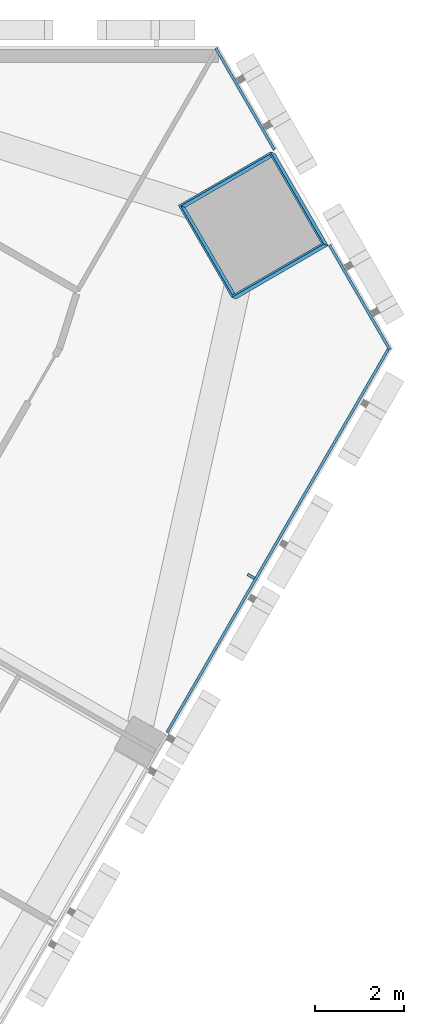
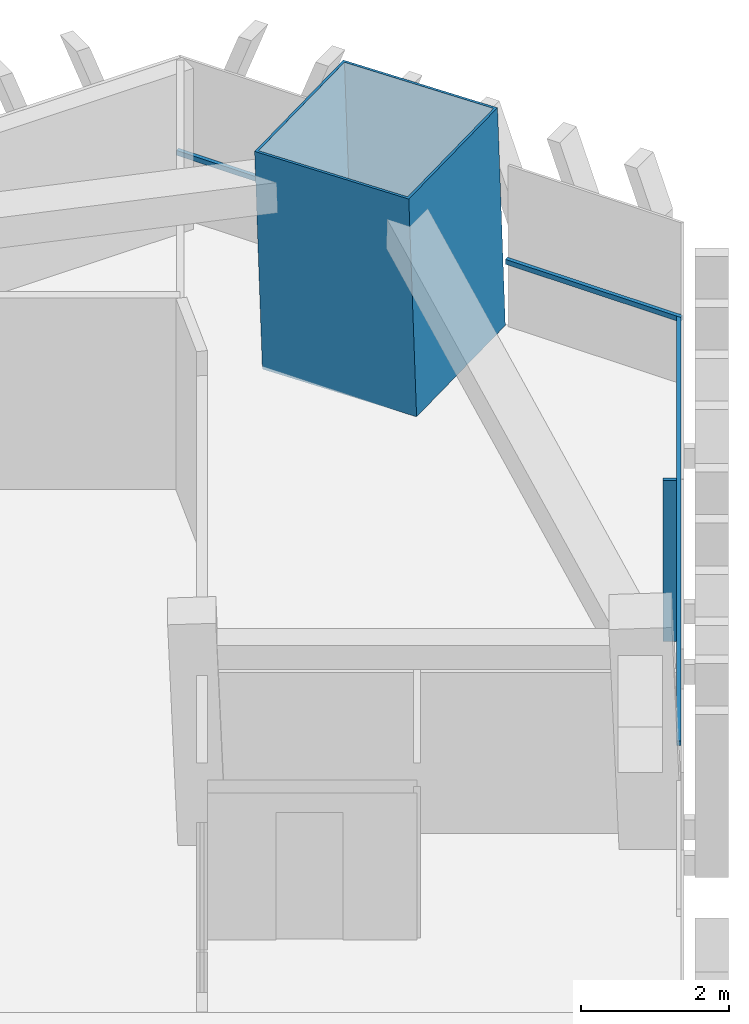
# One storey, part 7 of 16: 5 members, 2 elements without a shape of their own.
"""IFC4 building model written with IfcOpenShell, lengths in metres."""

from ifc_helpers import new_model, si_unit, direction, frame, origin, origin_2d, place, context, subcontext, project, spatial, rectangle, hollow_rectangle, extrude, material, layer, layer_set, material_profile, profile_set, type_object, element, aggregate, save


model = new_model("IFC4")

# Units and contexts
model_context = context("Model", 3, precision=1e-05, world=origin(), true_north=direction((0.0, 1.0)))
body_context = subcontext(model_context, "Body", "Model", "MODEL_VIEW")
ifc_project = project(units=[si_unit("LENGTHUNIT", "METRE"), si_unit("AREAUNIT", "SQUARE_METRE"), si_unit("VOLUMEUNIT", "CUBIC_METRE"), si_unit("PLANEANGLEUNIT", "RADIAN"), si_unit("MASSUNIT", "GRAM", prefix="KILO")], contexts=[model_context])

# Site, building, storey
site_placement = place(None, origin())
site = spatial("IfcSite", under=ifc_project, at=site_placement, CompositionType="ELEMENT")
building_placement = place(site_placement, origin())
building = spatial("IfcBuilding", under=site, at=building_placement, Name="Altiplano Prism Tower", CompositionType="ELEMENT")
storey_placement = place(building_placement, frame((0.0, 0.0, 127.800048828125)))
storey = spatial("IfcBuildingStorey", under=building, at=storey_placement, Name="L32", CompositionType="ELEMENT", Elevation=127.800048828125)

# Curtain wall, members
ifc_material_1 = material(Name="Aluminium and glass", Category="aluminium")
ifc_layer = layer(ifc_material_1, 0.280029296875)
ifc_layer_set = layer_set([ifc_layer], Name="Aluminium and glass")
curtain_wall_type = type_object("IfcCurtainWallType", Name="CW1 typical co-living unitised curtain wall", PredefinedType="NOTDEFINED", material=ifc_layer_set)
curtain_wall_1_placement = place(storey_placement, origin())
curtain_wall_1 = element("IfcCurtainWall", 1, at=curtain_wall_1_placement, inside=storey, type_object=curtain_wall_type, Name="CW1 curtain wall south-east face L32", PredefinedType="NOTDEFINED")
ifc_material_2 = material(Name="Aluminium", Category="aluminium")
ifc_material_profile_1 = material_profile(ifc_material_2, rectangle(XDim=0.179931640625, YDim=0.06494140625, at=origin_2d()), Name="CW1 mullion 65 x 180")
ifc_profile_set_1 = profile_set([ifc_material_profile_1], Name="Aluminium")
member_type_1 = type_object("IfcMemberType", Name="CW1 mullion 65 x 180", PredefinedType="MULLION", material=ifc_profile_set_1)
member_1_placement = place(storey_placement, frame((109.7822265625, 93.062744140625, 0.0), z_axis=(0.0, 0.0, 1.0), x_axis=(-0.866025403531, 0.500000000438, 0.0)))
member_1 = element("IfcMember", 2, at=member_1_placement, type_object=member_type_1, Name="CW1 mullion", PredefinedType="MULLION", context=body_context, shape_type="SweptSolid", body=[
    extrude(rectangle(XDim=0.179931640625, YDim=0.06494140625, at=origin_2d()), origin(), (0.0, 0.0, 1.0), 2.64990234375),
])
ifc_material_profile_2 = material_profile(ifc_material_2, rectangle(XDim=0.06005859375, YDim=0.080078125, at=origin_2d()), Name="CW1 transom 80 x 60")
ifc_profile_set_2 = profile_set([ifc_material_profile_2], Name="Aluminium")
member_type_2 = type_object("IfcMemberType", Name="CW1 transom 80 x 60", PredefinedType="USERDEFINED", material=ifc_profile_set_2)
member_2_placement = place(storey_placement, frame((107.888427734375, 89.54248046875, 1.099853515625), z_axis=(0.500000180633, 0.866025299496, 0.0), x_axis=(-0.866025299496, 0.500000180633, 0.0)))
member_2 = element("IfcMember", 3, at=member_2_placement, type_object=member_type_2, Name="CW1 transom", ObjectType="TRANSOM", PredefinedType="USERDEFINED", context=body_context, shape_type="SweptSolid", body=[
    extrude(rectangle(XDim=0.06005859375, YDim=0.080078125, at=origin_2d()), origin(), (0.0, 0.0, 1.0), 10.04443359375),
])
aggregate(curtain_wall_1, [member_1, member_2])

curtain_wall_2_placement = place(storey_placement, origin())
curtain_wall_2 = element("IfcCurtainWall", 4, at=curtain_wall_2_placement, inside=storey, type_object=curtain_wall_type, Name="CW1 curtain wall north-east chamfer L32", PredefinedType="NOTDEFINED")
member_3_placement = place(storey_placement, frame((112.91064453125, 98.171142578125, 1.099853515625), z_axis=(-0.500035541724, 0.866004882788, 0.0), x_axis=(-0.866004882788, -0.500035541724, 0.0)))
member_3 = element("IfcMember", 5, at=member_3_placement, type_object=member_type_2, Name="CW1 transom", ObjectType="TRANSOM", PredefinedType="USERDEFINED", context=body_context, shape_type="SweptSolid", body=[
    extrude(rectangle(XDim=0.06005859375, YDim=0.080078125, at=origin_2d()), origin(), (0.0, 0.0, 1.0), 2.722412109375),
])
member_4_placement = place(storey_placement, frame((110.309326171875, 102.676513671875, 1.099853515625), z_axis=(-0.499925063183, 0.866068664253, 0.0), x_axis=(-0.866068664253, -0.499925063183, 0.0)))
member_4 = element("IfcMember", 6, at=member_4_placement, type_object=member_type_2, Name="CW1 transom", ObjectType="TRANSOM", PredefinedType="USERDEFINED", context=body_context, shape_type="SweptSolid", body=[
    extrude(rectangle(XDim=0.06005859375, YDim=0.080078125, at=origin_2d()), origin(), (0.0, 0.0, 1.0), 2.642578125),
])
aggregate(curtain_wall_2, [member_3, member_4])

# Member
ifc_material_3 = material(Name="Steel S460", Category="steel")
ifc_material_profile_3 = material_profile(ifc_material_3, hollow_rectangle(XDim=2.39990234375, YDim=2.39990234375, WallThickness=0.0400390625, at=origin_2d()), Name="Mega column tube 2400")
ifc_profile_set_3 = profile_set([ifc_material_profile_3], Name="Steel S460")
member_type_3 = type_object("IfcMemberType", Name="Mega column tube 2400", PredefinedType="POST", material=ifc_profile_set_3)
member_5_placement = place(storey_placement, frame((109.88427734375, 100.953125, 0.0), z_axis=(-0.028403739082, 0.009219352065, 0.999554016126), x_axis=(0.500765052808, -0.865298233906, 0.022210994706)))
element("IfcMember", 7, at=member_5_placement, inside=storey, type_object=member_type_3, Name="Mega column tube M2 L32", PredefinedType="POST", context=body_context, shape_type="SweptSolid", body=[
    extrude(hollow_rectangle(XDim=2.39990234375, YDim=2.39990234375, WallThickness=0.0400390625, at=origin_2d()), origin(), (0.0, 0.0, 1.0), 3.6015625),
])

save(model, "model.ifc")
